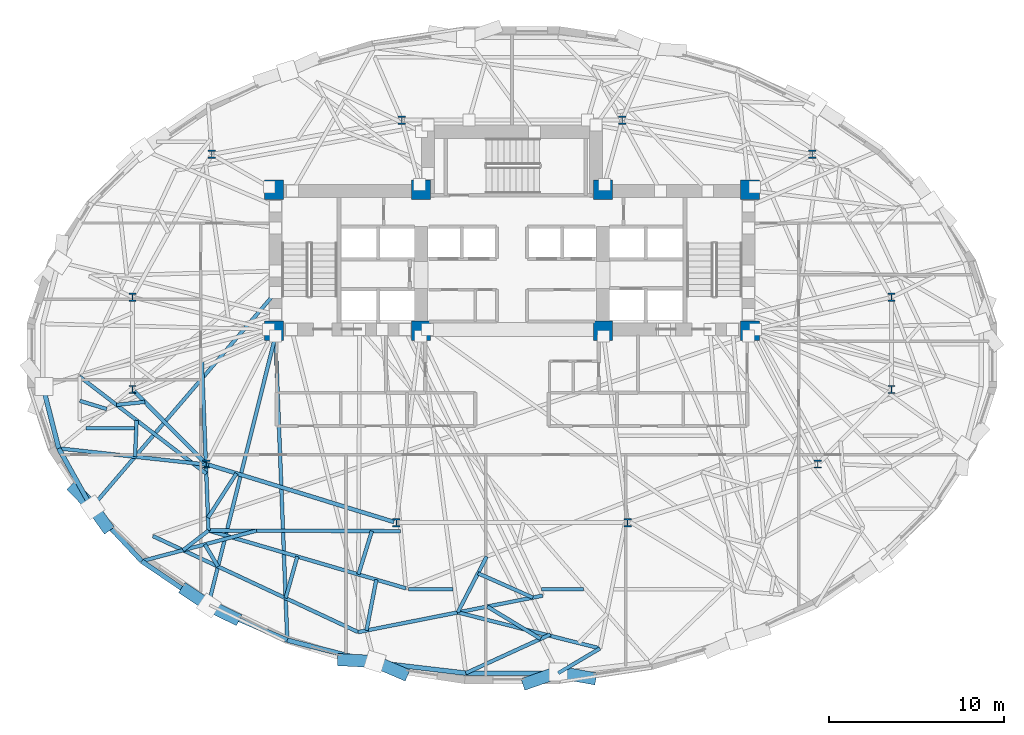
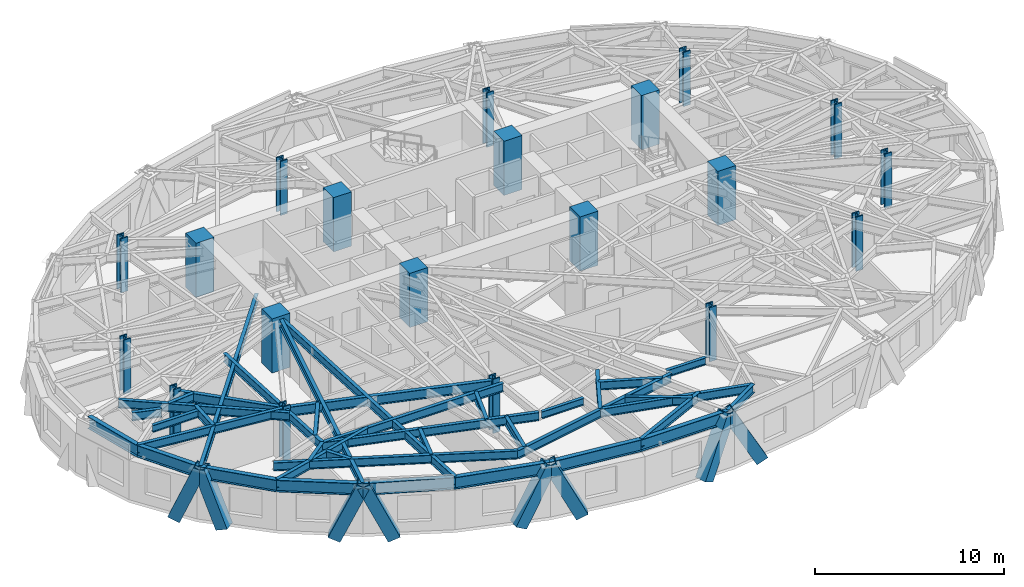
# One storey, part 1 of 15: 39 beams, 20 columns, 8 members.
"""IFC4 building model written with IfcOpenShell, lengths in metres."""

from ifc_helpers import new_model, si_unit, direction, frame, origin, origin_2d, place, context, subcontext, project, spatial, rectangle, hollow_rectangle, i_section, extrude, material, material_profile, profile_set, type_object, element, save


model = new_model("IFC4")

# Units and contexts
model_context = context("Model", 3, precision=1e-05, world=origin(), true_north=direction((0.0, 1.0)))
body_context = subcontext(model_context, "Body", "Model", "MODEL_VIEW")
ifc_project = project(units=[si_unit("LENGTHUNIT", "METRE"), si_unit("AREAUNIT", "SQUARE_METRE"), si_unit("VOLUMEUNIT", "CUBIC_METRE"), si_unit("PLANEANGLEUNIT", "RADIAN"), si_unit("MASSUNIT", "GRAM", prefix="KILO")], contexts=[model_context])

# Site, building, storey
site_placement = place(None, origin())
site = spatial("IfcSite", under=ifc_project, at=site_placement, CompositionType="ELEMENT")
building_placement = place(site_placement, origin())
building = spatial("IfcBuilding", under=site, at=building_placement, Name="Keldmark Tower", CompositionType="ELEMENT")
storey_placement = place(building_placement, frame((0.0, 0.0, 110.60009765625)))
storey = spatial("IfcBuildingStorey", under=building, at=storey_placement, Name="L29", CompositionType="ELEMENT", Elevation=110.60009765625)

# Columns
ifc_material_1 = material(Name="Concrete C70/85", Category="concrete")
ifc_material_profile_1 = material_profile(ifc_material_1, rectangle(XDim=1.10009765625, YDim=1.10009765625, at=origin_2d()), Name="RC1100X1100")
ifc_profile_set_1 = profile_set([ifc_material_profile_1], Name="Concrete C70/85")
column_type_1 = type_object("IfcColumnType", Name="Core Boundary Column RC1100", PredefinedType="COLUMN", material=ifc_profile_set_1)
for number, where, z_axis, x_axis, name in (
    (1, (-13.60009765625, 1.39990234375, 0.0), (0.0, 0.0, 1.0), (1.0, 0.0, 0.0), "L29 Core Boundary Column CC-W1"),
    (2, (-13.60009765625, 9.449951171875, 0.0), (0.0, 0.0, 1.0), (1.0, 0.0, 0.0), "L29 Core Boundary Column CC-W2"),
    (3, (-5.199951171875, 1.39990234375, 0.0), (0.0, 0.0, 1.0), (1.0, 0.0, 0.0), "L29 Core Boundary Column CC-W3"),
    (4, (-5.199951171875, 9.449951171875, 0.0), (0.0, 0.0, 1.0), (1.0, 0.0, 0.0), "L29 Core Boundary Column CC-W4"),
    (5, (5.199951171875, 1.39990234375, 0.0), (0.0, 0.0, 1.0), (1.0, 0.0, 0.0), "L29 Core Boundary Column CC-E1"),
    (6, (5.199951171875, 9.449951171875, 0.0), (0.0, 0.0, 1.0), (1.0, 0.0, 0.0), "L29 Core Boundary Column CC-E2"),
    (7, (13.60009765625, 1.39990234375, 0.0), (0.0, 0.0, 1.0), (1.0, 0.0, 0.0), "L29 Core Boundary Column CC-E3"),
    (8, (13.60009765625, 9.449951171875, 0.0), (0.0, 0.0, 1.0), (1.0, 0.0, 0.0), "L29 Core Boundary Column CC-E4"),
):
    element("IfcColumn", number, at=place(storey_placement, frame(where, z_axis=z_axis, x_axis=x_axis)), inside=storey, type_object=column_type_1, Name=name, PredefinedType="COLUMN", context=body_context, shape_type="SweptSolid", body=[
        extrude(rectangle(XDim=1.10009765625, YDim=1.10009765625, at=origin_2d()), origin(), (0.0, 0.0, 1.0), 3.5),
    ])
ifc_material_2 = material(Name="Steel ASTM A992 Grade 50", Category="steel")
ifc_material_profile_2 = material_profile(ifc_material_2, i_section(OverallWidth=0.424072265625, OverallDepth=0.47412109375, WebThickness=0.047607421875, FlangeThickness=0.0771484375, at=origin_2d()), Name="W14X426")
ifc_profile_set_2 = profile_set([ifc_material_profile_2], Name="Steel ASTM A992 Grade 50")
column_type_2 = type_object("IfcColumnType", Name="Tower Gravity Column W14X426", PredefinedType="COLUMN", material=ifc_profile_set_2)
for number, where, z_axis, x_axis, name in (
    (9, (21.697021484375, 3.309814453125, 0.0), (0.0, 0.0, 1.0), (1.0, 0.0, 0.0), "L29 Tower Gravity Column TC-E1"),
    (10, (17.1669921875, 11.478271484375, 0.0), (0.0, 0.0, 1.0), (1.0, 0.0, 0.0), "L29 Tower Gravity Column TC-E4"),
    (11, (6.298828125, 13.4326171875, 0.0), (0.0, 0.0, 1.0), (1.0, 0.0, 0.0), "L29 Tower Gravity Column TC-N2"),
    (12, (-6.298828125, 13.4326171875, 0.0), (0.0, 0.0, 1.0), (1.0, 0.0, 0.0), "L29 Tower Gravity Column TC-N1"),
    (13, (-17.1669921875, 11.478271484375, 0.0), (0.0, 0.0, 1.0), (1.0, 0.0, 0.0), "L29 Tower Gravity Column TC-W4"),
    (14, (-21.697021484375, 3.309814453125, 0.0), (0.0, 0.0, 1.0), (1.0, 0.0, 0.0), "L29 Tower Gravity Column TC-W1"),
    (15, (-21.697021484375, -1.9658203125, 0.0), (0.0, 0.0, 1.0), (1.0, 0.0, 0.0), "L29 Tower Gravity Column TC-W5"),
    (16, (-17.477294921875, -6.2294921875, 0.0), (0.0, 0.0, 1.0), (1.0, 0.0, 0.0), "L29 Tower Gravity Column TC-W2"),
    (17, (-6.61279296875, -9.579345703125, 0.0), (0.0, 0.0, 1.0), (1.0, 0.0, 0.0), "L29 Tower Gravity Column TC-W3"),
    (18, (6.61279296875, -9.579345703125, 0.0), (0.0, 0.0, 1.0), (1.0, 0.0, 0.0), "L29 Tower Gravity Column TC-E3"),
    (19, (17.477294921875, -6.2294921875, 0.0), (0.0, 0.0, 1.0), (1.0, 0.0, 0.0), "L29 Tower Gravity Column TC-E2"),
    (20, (21.697021484375, -1.9658203125, 0.0), (0.0, 0.0, 1.0), (1.0, 0.0, 0.0), "L29 Tower Gravity Column TC-E5"),
):
    element("IfcColumn", number, at=place(storey_placement, frame(where, z_axis=z_axis, x_axis=x_axis)), inside=storey, type_object=column_type_2, Name=name, PredefinedType="COLUMN", context=body_context, shape_type="SweptSolid", body=[
        extrude(i_section(OverallWidth=0.424072265625, OverallDepth=0.47412109375, WebThickness=0.047607421875, FlangeThickness=0.0771484375, at=origin_2d()), origin(), (0.0, 0.0, 1.0), 3.5),
    ])

# Beams
ifc_material_3 = material(Name="Steel ASTM A992 Grade 50", Category="steel")
ifc_material_profile_3 = material_profile(ifc_material_3, i_section(OverallWidth=0.19091796875, OverallDepth=0.45703125, WebThickness=0.009033203125, FlangeThickness=0.014404296875, at=origin_2d()), Name="W18X50")
ifc_profile_set_3 = profile_set([ifc_material_profile_3], Name="Steel ASTM A992 Grade 50")
beam_type_1 = type_object("IfcBeamType", Name="Composite Floor Joist W18X50", PredefinedType="JOIST", material=ifc_profile_set_3)
beam_1_placement = place(storey_placement, frame((-5.9140625, -13.3798828125, 3.081298828125), z_axis=(1.0, 0.0, 0.0), x_axis=(0.0, 1.0, 0.0)))
element("IfcBeam", 21, at=beam_1_placement, inside=storey, type_object=beam_type_1, Name="L29 Composite Floor Joist J01", PredefinedType="JOIST", context=body_context, shape_type="SweptSolid", body=[
    extrude(i_section(OverallWidth=0.19091796875, OverallDepth=0.45703125, WebThickness=0.009033203125, FlangeThickness=0.014404296875, at=origin_2d()), origin(), (0.0, 0.0, 1.0), 2.538330078125),
])
beam_2_placement = place(storey_placement, frame((1.6845703125, -13.3798828125, 3.081298828125), z_axis=(1.0, 0.0, 0.0), x_axis=(0.0, 1.0, 0.0)))
element("IfcBeam", 22, at=beam_2_placement, inside=storey, type_object=beam_type_1, Name="L29 Composite Floor Joist J02", PredefinedType="JOIST", context=body_context, shape_type="SweptSolid", body=[
    extrude(i_section(OverallWidth=0.19091796875, OverallDepth=0.45703125, WebThickness=0.009033203125, FlangeThickness=0.014404296875, at=origin_2d()), origin(), (0.0, 0.0, 1.0), 2.401123046875),
])
beam_3_placement = place(storey_placement, frame((-24.357177734375, -4.179931640625, 3.081298828125), z_axis=(1.0, 0.0, 0.0), x_axis=(0.0, 1.0, 0.0)))
element("IfcBeam", 23, at=beam_3_placement, inside=storey, type_object=beam_type_1, Name="L29 Composite Floor Joist J05", PredefinedType="JOIST", context=body_context, shape_type="SweptSolid", body=[
    extrude(i_section(OverallWidth=0.19091796875, OverallDepth=0.45703125, WebThickness=0.009033203125, FlangeThickness=0.014404296875, at=origin_2d()), origin(), (0.0, 0.0, 1.0), 2.779296875),
])

# Members
ifc_material_4 = material(Name="Steel ASTM A572 Grade 50", Category="steel")
ifc_material_profile_4 = material_profile(ifc_material_4, hollow_rectangle(XDim=0.699951171875, YDim=0.699951171875, WallThickness=0.044921875, at=origin_2d()), Name="BOX700X700X45")
ifc_profile_set_4 = profile_set([ifc_material_profile_4], Name="Steel ASTM A572 Grade 50")
member_type = type_object("IfcMemberType", Name="Diagrid Zone 2 Brace BOX700X700X45", PredefinedType="BRACE", material=ifc_profile_set_4)
member_1_placement = place(storey_placement, frame((-24.978759765625, -7.6689453125, -0.27001953125), z_axis=(0.267017097952, -0.273407250724, 0.924094337529), x_axis=(0.715417829902, 0.698696878953, 0.0)))
element("IfcMember", 24, at=member_1_placement, inside=storey, type_object=member_type, Name="L29 Perimeter Diagrid Brace 09B", PredefinedType="BRACE", context=body_context, shape_type="SweptSolid", body=[
    extrude(hollow_rectangle(XDim=0.699951171875, YDim=0.699951171875, WallThickness=0.044921875, at=origin_2d()), origin(), (0.0, 0.0, 1.0), 3.744140625),
])
member_2_placement = place(storey_placement, frame((-23.20556640625, -9.76953125, -0.27001953125), z_axis=(-0.209690541704, 0.293277166928, 0.932747758013), x_axis=(-0.813462018003, -0.581618040699, 0.0)))
element("IfcMember", 25, at=member_2_placement, inside=storey, type_object=member_type, Name="L29 Perimeter Diagrid Brace 10A", PredefinedType="BRACE", context=body_context, shape_type="SweptSolid", body=[
    extrude(hollow_rectangle(XDim=0.699951171875, YDim=0.699951171875, WallThickness=0.044921875, at=origin_2d()), origin(), (0.0, 0.0, 1.0), 3.70947265625),
])
member_3_placement = place(storey_placement, frame((-18.610107421875, -13.467529296875, -0.27001953125), z_axis=(0.338507513586, -0.223844461737, 0.91395093971), x_axis=(0.551579208252, 0.834122519192, 0.0)))
element("IfcMember", 26, at=member_3_placement, inside=storey, type_object=member_type, Name="L29 Perimeter Diagrid Brace 10B", PredefinedType="BRACE", context=body_context, shape_type="SweptSolid", body=[
    extrude(hollow_rectangle(XDim=0.699951171875, YDim=0.699951171875, WallThickness=0.044921875, at=origin_2d()), origin(), (0.0, 0.0, 1.0), 3.78564453125),
])
member_4_placement = place(storey_placement, frame((-15.88330078125, -15.019287109375, -0.27001953125), z_axis=(-0.380529823705, 0.18655803752, 0.905755569625), x_axis=(-0.440202514339, -0.897898516743, 0.0)))
element("IfcMember", 27, at=member_4_placement, inside=storey, type_object=member_type, Name="L29 Perimeter Diagrid Brace 11A", PredefinedType="BRACE", context=body_context, shape_type="SweptSolid", body=[
    extrude(hollow_rectangle(XDim=0.699951171875, YDim=0.699951171875, WallThickness=0.044921875, at=origin_2d()), origin(), (0.0, 0.0, 1.0), 3.820068359375),
])
member_5_placement = place(storey_placement, frame((-9.663818359375, -17.4228515625, -0.27001953125), z_axis=(0.467417683019, -0.024256333871, 0.883703762506), x_axis=(0.05182460814, 0.998656202099, 0.0)))
element("IfcMember", 28, at=member_5_placement, inside=storey, type_object=member_type, Name="L29 Perimeter Diagrid Brace 11B", PredefinedType="BRACE", context=body_context, shape_type="SweptSolid", body=[
    extrude(hollow_rectangle(XDim=0.699951171875, YDim=0.699951171875, WallThickness=0.044921875, at=origin_2d()), origin(), (0.0, 0.0, 1.0), 3.915283203125),
])
member_6_placement = place(storey_placement, frame((-6.25634765625, -18.19189453125, -0.27001953125), z_axis=(-0.410682770234, 0.175510853382, 0.894726551846), x_axis=(-0.392980755483, -0.919546695834, 0.0)))
element("IfcMember", 29, at=member_6_placement, inside=storey, type_object=member_type, Name="L29 Perimeter Diagrid Brace 12A", PredefinedType="BRACE", context=body_context, shape_type="SweptSolid", body=[
    extrude(hollow_rectangle(XDim=0.699951171875, YDim=0.699951171875, WallThickness=0.044921875, at=origin_2d()), origin(), (0.0, 0.0, 1.0), 3.866943359375),
])
member_7_placement = place(storey_placement, frame((0.915771484375, -18.728759765625, -0.27001953125), z_axis=(0.442181208457, 0.154666795176, 0.883489649831), x_axis=(-0.330166658122, 0.943922654599, 0.0)))
element("IfcMember", 30, at=member_7_placement, inside=storey, type_object=member_type, Name="L29 Perimeter Diagrid Brace 12B", PredefinedType="BRACE", context=body_context, shape_type="SweptSolid", body=[
    extrude(hollow_rectangle(XDim=0.699951171875, YDim=0.699951171875, WallThickness=0.044921875, at=origin_2d()), origin(), (0.0, 0.0, 1.0), 3.916259765625),
])
member_8_placement = place(storey_placement, frame((4.495849609375, -18.458984375, -0.27001953125), z_axis=(-0.471795800597, 0.085206854131, 0.877581058677), x_axis=(-0.177725962091, -0.984080018291, 0.0)))
element("IfcMember", 31, at=member_8_placement, inside=storey, type_object=member_type, Name="L29 Perimeter Diagrid Brace 13A", PredefinedType="BRACE", context=body_context, shape_type="SweptSolid", body=[
    extrude(hollow_rectangle(XDim=0.699951171875, YDim=0.699951171875, WallThickness=0.044921875, at=origin_2d()), origin(), (0.0, 0.0, 1.0), 3.942626953125),
])

# Beams
ifc_material_5 = material(Name="Steel ASTM A992 Grade 50", Category="steel")
ifc_material_profile_5 = material_profile(ifc_material_5, i_section(OverallWidth=0.22900390625, OverallDepth=0.612060546875, WebThickness=0.011962890625, FlangeThickness=0.01953125, at=origin_2d()), Name="W24X84")
ifc_profile_set_5 = profile_set([ifc_material_profile_5], Name="Steel ASTM A992 Grade 50")
beam_type_2 = type_object("IfcBeamType", Name="Primary Floor Girder W24X84", PredefinedType="BEAM", material=ifc_profile_set_5)
beam_4_placement = place(storey_placement, frame((-21.598388671875, -2.0654296875, 3.00390625), z_axis=(0.703425791323, -0.71076870788, 0.0), x_axis=(0.71076870788, 0.703425791323, 0.0)))
element("IfcBeam", 32, at=beam_4_placement, inside=storey, type_object=beam_type_2, Name="L29 Floor Ring Girder FG-R07", PredefinedType="BEAM", context=body_context, shape_type="SweptSolid", body=[
    extrude(i_section(OverallWidth=0.22900390625, OverallDepth=0.612060546875, WebThickness=0.011962890625, FlangeThickness=0.01953125, at=origin_2d()), origin(), (0.0, 0.0, 1.0), 5.71875),
])
beam_5_placement = place(storey_placement, frame((-17.343505859375, -6.270751953125, 3.00390625), z_axis=(0.955607954968, -0.294641199432, 0.0), x_axis=(0.294641199432, 0.955607954968, 0.0)))
element("IfcBeam", 33, at=beam_5_placement, inside=storey, type_object=beam_type_2, Name="L29 Floor Ring Girder FG-R08", PredefinedType="BEAM", context=body_context, shape_type="SweptSolid", body=[
    extrude(i_section(OverallWidth=0.22900390625, OverallDepth=0.612060546875, WebThickness=0.011962890625, FlangeThickness=0.01953125, at=origin_2d()), origin(), (0.0, 0.0, 1.0), 11.089111328125),
])
ifc_material_6 = material(Name="Steel ASTM A992 Grade 50", Category="steel")
ifc_material_profile_6 = material_profile(ifc_material_6, i_section(OverallWidth=0.2099609375, OverallDepth=0.537109375, WebThickness=0.010986328125, FlangeThickness=0.017333984375, at=origin_2d()), Name="W21X68")
ifc_profile_set_6 = profile_set([ifc_material_profile_6], Name="Steel ASTM A992 Grade 50")
beam_type_3 = type_object("IfcBeamType", Name="Radial Tie Girder W21X68", PredefinedType="BEAM", material=ifc_profile_set_6)
beam_6_placement = place(storey_placement, frame((-24.720458984375, -1.223876953125, 3.04150390625), z_axis=(0.793423782127, -0.608669616422, 0.0), x_axis=(0.608669616422, 0.793423782127, 0.0)))
element("IfcBeam", 34, at=beam_6_placement, inside=storey, type_object=beam_type_3, Name="L29 Framing Pin Header PH-005", PredefinedType="BEAM", context=body_context, shape_type="SweptSolid", body=[
    extrude(i_section(OverallWidth=0.2099609375, OverallDepth=0.537109375, WebThickness=0.010986328125, FlangeThickness=0.017333984375, at=origin_2d()), origin(), (0.0, 0.0, 1.0), 9.127197265625),
])
beam_7_placement = place(storey_placement, frame((-17.7314453125, -0.3173828125, 3.04150390625), z_axis=(0.039068989508, -0.999236515575, 0.0), x_axis=(0.999236515575, 0.039068989508, 0.0)))
element("IfcBeam", 35, at=beam_7_placement, inside=storey, type_object=beam_type_3, Name="L29 Sub-Ring Step Girder STP1-M08", PredefinedType="BEAM", context=body_context, shape_type="SweptSolid", body=[
    extrude(i_section(OverallWidth=0.2099609375, OverallDepth=0.537109375, WebThickness=0.010986328125, FlangeThickness=0.017333984375, at=origin_2d()), origin(), (0.0, 0.0, 1.0), 9.717041015625),
])
beam_8_placement = place(storey_placement, frame((-17.351806640625, -10.027099609375, 3.04150390625), z_axis=(0.999994810297, -0.003221704346, 0.0), x_axis=(0.003221704346, 0.999994810297, 0.0)))
element("IfcBeam", 36, at=beam_8_placement, inside=storey, type_object=beam_type_3, Name="L29 Framing Pin Header PH-006", PredefinedType="BEAM", context=body_context, shape_type="SweptSolid", body=[
    extrude(i_section(OverallWidth=0.2099609375, OverallDepth=0.537109375, WebThickness=0.010986328125, FlangeThickness=0.017333984375, at=origin_2d()), origin(), (0.0, 0.0, 1.0), 10.988037109375),
])
beam_9_placement = place(storey_placement, frame((-17.351806640625, -10.027099609375, 3.04150390625), z_axis=(0.959687161732, -0.281070367715, 0.0), x_axis=(0.281070367715, 0.959687161732, 0.0)))
element("IfcBeam", 37, at=beam_9_placement, inside=storey, type_object=beam_type_3, Name="L29 Perimeter Collector Ring Beam CRG1-M08", PredefinedType="BEAM", context=body_context, shape_type="SweptSolid", body=[
    extrude(i_section(OverallWidth=0.2099609375, OverallDepth=0.537109375, WebThickness=0.010986328125, FlangeThickness=0.017333984375, at=origin_2d()), origin(), (0.0, 0.0, 1.0), 11.760986328125),
])
beam_10_placement = place(storey_placement, frame((-15.75390625, -6.760986328125, 3.04150390625), z_axis=(-0.540745285949, -0.841186385841, 0.0), x_axis=(0.841186385841, -0.540745285949, 0.0)))
element("IfcBeam", 38, at=beam_10_placement, inside=storey, type_object=beam_type_3, Name="L29 Framing Pin Header PH-011", PredefinedType="BEAM", context=body_context, shape_type="SweptSolid", body=[
    extrude(i_section(OverallWidth=0.2099609375, OverallDepth=0.537109375, WebThickness=0.010986328125, FlangeThickness=0.017333984375, at=origin_2d()), origin(), (0.0, 0.0, 1.0), 3.00830078125),
])
beam_11_placement = place(storey_placement, frame((-8.011962890625, -10.057373046875, 3.04150390625), z_axis=(-0.29598811208, -0.955191623449, 0.0), x_axis=(0.955191623449, -0.29598811208, 0.0)))
element("IfcBeam", 39, at=beam_11_placement, inside=storey, type_object=beam_type_3, Name="L29 Framing Pin Header PH-012", PredefinedType="BEAM", context=body_context, shape_type="SweptSolid", body=[
    extrude(i_section(OverallWidth=0.2099609375, OverallDepth=0.537109375, WebThickness=0.010986328125, FlangeThickness=0.017333984375, at=origin_2d()), origin(), (0.0, 0.0, 1.0), 2.5966796875),
])
beam_12_placement = place(storey_placement, frame((-20.523681640625, -10.348388671875, 3.04150390625), z_axis=(0.9057727741, -0.423763709747, 0.0), x_axis=(0.423763709747, 0.9057727741, 0.0)))
element("IfcBeam", 40, at=beam_12_placement, inside=storey, type_object=beam_type_3, Name="L29 Perimeter Collector Ring Beam CRG2-M08", PredefinedType="BEAM", context=body_context, shape_type="SweptSolid", body=[
    extrude(i_section(OverallWidth=0.2099609375, OverallDepth=0.537109375, WebThickness=0.010986328125, FlangeThickness=0.017333984375, at=origin_2d()), origin(), (0.0, 0.0, 1.0), 12.94775390625),
])
beam_13_placement = place(storey_placement, frame((-8.7958984375, -15.835205078125, 3.04150390625), z_axis=(0.981021831439, 0.193897308489, 0.0), x_axis=(-0.193897308489, 0.981021831439, 0.0)))
element("IfcBeam", 41, at=beam_13_placement, inside=storey, type_object=beam_type_3, Name="L29 Perimeter Collector Ring Beam CRG2-M09", PredefinedType="BEAM", context=body_context, shape_type="SweptSolid", body=[
    extrude(i_section(OverallWidth=0.2099609375, OverallDepth=0.537109375, WebThickness=0.010986328125, FlangeThickness=0.017333984375, at=origin_2d()), origin(), (0.0, 0.0, 1.0), 10.751708984375),
])
beam_14_placement = place(storey_placement, frame((-20.9951171875, -2.675048828125, 3.04150390625), z_axis=(-0.994772054455, -0.1021203196, 0.0), x_axis=(0.1021203196, -0.994772054455, 0.0)))
element("IfcBeam", 42, at=beam_14_placement, inside=storey, type_object=beam_type_3, Name="L29 Framing Pin Header PH-031", PredefinedType="BEAM", context=body_context, shape_type="SweptSolid", body=[
    extrude(i_section(OverallWidth=0.2099609375, OverallDepth=0.537109375, WebThickness=0.010986328125, FlangeThickness=0.017333984375, at=origin_2d()), origin(), (0.0, 0.0, 1.0), 1.625732421875),
])
beam_15_placement = place(storey_placement, frame((-24.71142578125, -2.6123046875, 3.04150390625), z_axis=(0.956243240595, -0.292572836771, 0.0), x_axis=(0.292572836771, 0.956243240595, 0.0)))
element("IfcBeam", 43, at=beam_15_placement, inside=storey, type_object=beam_type_3, Name="L29 Framing Pin Header PH-032", PredefinedType="BEAM", context=body_context, shape_type="SweptSolid", body=[
    extrude(i_section(OverallWidth=0.2099609375, OverallDepth=0.537109375, WebThickness=0.010986328125, FlangeThickness=0.017333984375, at=origin_2d()), origin(), (0.0, 0.0, 1.0), 1.610595703125),
])
beam_16_placement = place(storey_placement, frame((-17.351806640625, -10.027099609375, 3.04150390625), z_axis=(-0.791249963803, -0.611492841154, 0.0), x_axis=(0.611492841154, -0.791249963803, 0.0)))
element("IfcBeam", 44, at=beam_16_placement, inside=storey, type_object=beam_type_3, Name="L29 Framing Pin Header PH-033", PredefinedType="BEAM", context=body_context, shape_type="SweptSolid", body=[
    extrude(i_section(OverallWidth=0.2099609375, OverallDepth=0.537109375, WebThickness=0.010986328125, FlangeThickness=0.017333984375, at=origin_2d()), origin(), (0.0, 0.0, 1.0), 1.8388671875),
])
beam_17_placement = place(storey_placement, frame((-14.604736328125, -10.035888671875, 3.04150390625), z_axis=(-0.966516464649, -0.256604605497, 0.0), x_axis=(0.256604605497, -0.966516464649, 0.0)))
element("IfcBeam", 45, at=beam_17_placement, inside=storey, type_object=beam_type_3, Name="L29 Perimeter Radial Tie Girder RT-20", PredefinedType="BEAM", context=body_context, shape_type="SweptSolid", body=[
    extrude(i_section(OverallWidth=0.2099609375, OverallDepth=0.537109375, WebThickness=0.010986328125, FlangeThickness=0.017333984375, at=origin_2d()), origin(), (0.0, 0.0, 1.0), 6.794189453125),
])
beam_18_placement = place(storey_placement, frame((-17.559814453125, -10.8203125, 3.04150390625), z_axis=(0.509752339952, -0.860321191134, 0.0), x_axis=(0.860321191134, 0.509752339952, 0.0)))
element("IfcBeam", 46, at=beam_18_placement, inside=storey, type_object=beam_type_3, Name="L29 Framing Pin Header PH-034", PredefinedType="BEAM", context=body_context, shape_type="SweptSolid", body=[
    extrude(i_section(OverallWidth=0.2099609375, OverallDepth=0.537109375, WebThickness=0.010986328125, FlangeThickness=0.017333984375, at=origin_2d()), origin(), (0.0, 0.0, 1.0), 1.470703125),
])
beam_19_placement = place(storey_placement, frame((-13.52490234375, 1.10009765625, 3.04150390625), z_axis=(-0.241756414655, -0.970336970322, 0.0), x_axis=(0.970336970322, -0.241756414655, 0.0)))
element("IfcBeam", 47, at=beam_19_placement, inside=storey, type_object=beam_type_3, Name="L29 Perimeter Radial Tie Girder RT-21", PredefinedType="BEAM", context=body_context, shape_type="SweptSolid", body=[
    extrude(i_section(OverallWidth=0.2099609375, OverallDepth=0.537109375, WebThickness=0.010986328125, FlangeThickness=0.017333984375, at=origin_2d()), origin(), (0.0, 0.0, 1.0), 15.925537109375),
])
beam_20_placement = place(storey_placement, frame((-12.272705078125, -11.5146484375, 3.04150390625), z_axis=(-0.27028528671, -0.962780278043, 0.0), x_axis=(0.962780278043, -0.27028528671, 0.0)))
element("IfcBeam", 48, at=beam_20_placement, inside=storey, type_object=beam_type_3, Name="L29 Framing Pin Header PH-035", PredefinedType="BEAM", context=body_context, shape_type="SweptSolid", body=[
    extrude(i_section(OverallWidth=0.2099609375, OverallDepth=0.537109375, WebThickness=0.010986328125, FlangeThickness=0.017333984375, at=origin_2d()), origin(), (0.0, 0.0, 1.0), 2.47314453125),
])
beam_21_placement = place(storey_placement, frame((-13.52490234375, 1.10009765625, 3.04150390625), z_axis=(0.038902768822, -0.999243000765, 0.0), x_axis=(0.999243000765, 0.038902768822, 0.0)))
element("IfcBeam", 49, at=beam_21_placement, inside=storey, type_object=beam_type_3, Name="L29 Perimeter Radial Tie Girder RT-22", PredefinedType="BEAM", context=body_context, shape_type="SweptSolid", body=[
    extrude(i_section(OverallWidth=0.2099609375, OverallDepth=0.537109375, WebThickness=0.010986328125, FlangeThickness=0.017333984375, at=origin_2d()), origin(), (0.0, 0.0, 1.0), 17.40869140625),
])
beam_22_placement = place(storey_placement, frame((-7.758056640625, -12.8369140625, 3.04150390625), z_axis=(-0.189236288616, -0.981931579628, 0.0), x_axis=(0.981931579628, -0.189236288616, 0.0)))
element("IfcBeam", 50, at=beam_22_placement, inside=storey, type_object=beam_type_3, Name="L29 Framing Pin Header PH-036", PredefinedType="BEAM", context=body_context, shape_type="SweptSolid", body=[
    extrude(i_section(OverallWidth=0.2099609375, OverallDepth=0.537109375, WebThickness=0.010986328125, FlangeThickness=0.017333984375, at=origin_2d()), origin(), (0.0, 0.0, 1.0), 2.95703125),
])
beam_23_placement = place(storey_placement, frame((-1.447265625, -11.5166015625, 3.04150390625), z_axis=(-0.460144782416, -0.887843893495, 0.0), x_axis=(0.887843893495, -0.460144782416, 0.0)))
element("IfcBeam", 51, at=beam_23_placement, inside=storey, type_object=beam_type_3, Name="L29 Framing Pin Header PH-037", PredefinedType="BEAM", context=body_context, shape_type="SweptSolid", body=[
    extrude(i_section(OverallWidth=0.2099609375, OverallDepth=0.537109375, WebThickness=0.010986328125, FlangeThickness=0.017333984375, at=origin_2d()), origin(), (0.0, 0.0, 1.0), 3.5966796875),
])
beam_24_placement = place(storey_placement, frame((-1.94384765625, -12.474609375, 3.04150390625), z_axis=(0.914611298608, -0.404334233598, 0.0), x_axis=(0.404334233598, 0.914611298608, 0.0)))
element("IfcBeam", 52, at=beam_24_placement, inside=storey, type_object=beam_type_3, Name="L29 Framing Pin Header PH-038", PredefinedType="BEAM", context=body_context, shape_type="SweptSolid", body=[
    extrude(i_section(OverallWidth=0.2099609375, OverallDepth=0.537109375, WebThickness=0.010986328125, FlangeThickness=0.017333984375, at=origin_2d()), origin(), (0.0, 0.0, 1.0), 3.428955078125),
])
beam_25_placement = place(storey_placement, frame((-2.6416015625, -18.1826171875, 3.04150390625), z_axis=(0.909182807839, 0.416397192509, 0.0), x_axis=(-0.416397192509, 0.909182807839, 0.0)))
element("IfcBeam", 53, at=beam_25_placement, inside=storey, type_object=beam_type_3, Name="L29 Local Collector Chord RT-25C", PredefinedType="BEAM", context=body_context, shape_type="SweptSolid", body=[
    extrude(i_section(OverallWidth=0.2099609375, OverallDepth=0.537109375, WebThickness=0.010986328125, FlangeThickness=0.017333984375, at=origin_2d()), origin(), (0.0, 0.0, 1.0), 5.3212890625),
])
beam_26_placement = place(storey_placement, frame((-1.41259765625, -14.3759765625, 3.04150390625), z_axis=(0.855529605472, -0.517753893429, 0.0), x_axis=(0.517753893429, 0.855529605472, 0.0)))
element("IfcBeam", 54, at=beam_26_placement, inside=storey, type_object=beam_type_3, Name="L29 Framing Pin Header PH-039", PredefinedType="BEAM", context=body_context, shape_type="SweptSolid", body=[
    extrude(i_section(OverallWidth=0.2099609375, OverallDepth=0.537109375, WebThickness=0.010986328125, FlangeThickness=0.017333984375, at=origin_2d()), origin(), (0.0, 0.0, 1.0), 3.566162109375),
])
beam_27_placement = place(storey_placement, frame((-3.102294921875, -14.7099609375, 3.04150390625), z_axis=(0.969410501478, -0.24544506437, 0.0), x_axis=(0.24544506437, 0.969410501478, 0.0)))
element("IfcBeam", 55, at=beam_27_placement, inside=storey, type_object=beam_type_3, Name="L29 Intermediate Radial Step Girder RT-26M", PredefinedType="BEAM", context=body_context, shape_type="SweptSolid", body=[
    extrude(i_section(OverallWidth=0.2099609375, OverallDepth=0.537109375, WebThickness=0.010986328125, FlangeThickness=0.017333984375, at=origin_2d()), origin(), (0.0, 0.0, 1.0), 8.38818359375),
])
beam_28_placement = place(storey_placement, frame((2.6416015625, -18.1826171875, 3.04150390625), z_axis=(0.860467268524, 0.509505721066, 0.0), x_axis=(-0.509505721066, 0.860467268524, 0.0)))
element("IfcBeam", 56, at=beam_28_placement, inside=storey, type_object=beam_type_3, Name="L29 Local Collector Chord RT-26C", PredefinedType="BEAM", context=body_context, shape_type="SweptSolid", body=[
    extrude(i_section(OverallWidth=0.2099609375, OverallDepth=0.537109375, WebThickness=0.010986328125, FlangeThickness=0.017333984375, at=origin_2d()), origin(), (0.0, 0.0, 1.0), 2.77490234375),
])
beam_29_placement = place(storey_placement, frame((-25.91748046875, -5.330078125, 3.04150390625), z_axis=(0.994035355768, -0.109058293966, 0.0), x_axis=(0.109058293966, 0.994035355768, 0.0)))
element("IfcBeam", 57, at=beam_29_placement, inside=storey, type_object=beam_type_3, Name="L29 Straddling Support Chord RT-19RB", PredefinedType="BEAM", context=body_context, shape_type="SweptSolid", body=[
    extrude(i_section(OverallWidth=0.2099609375, OverallDepth=0.537109375, WebThickness=0.010986328125, FlangeThickness=0.017333984375, at=origin_2d()), origin(), (0.0, 0.0, 1.0), 8.62548828125),
])
beam_30_placement = place(storey_placement, frame((-21.461669921875, -3.7236328125, 3.04150390625), z_axis=(-0.043980351361, -0.999032396219, 0.0), x_axis=(0.999032396219, -0.043980351361, 0.0)))
element("IfcBeam", 58, at=beam_30_placement, inside=storey, type_object=beam_type_3, Name="L29 Framing Pin Header PH-048", PredefinedType="BEAM", context=body_context, shape_type="SweptSolid", body=[
    extrude(i_section(OverallWidth=0.2099609375, OverallDepth=0.537109375, WebThickness=0.010986328125, FlangeThickness=0.017333984375, at=origin_2d()), origin(), (0.0, 0.0, 1.0), 2.087158203125),
])
beam_31_placement = place(storey_placement, frame((-13.52490234375, 3.5712890625, 3.04150390625), z_axis=(-0.650245199453, -0.759724410946, 0.0), x_axis=(0.759724410946, -0.650245199453, 0.0)))
element("IfcBeam", 59, at=beam_31_placement, inside=storey, type_object=beam_type_3, Name="L29 Perimeter Radial Tie Girder RT-19R", PredefinedType="BEAM", context=body_context, shape_type="SweptSolid", body=[
    extrude(i_section(OverallWidth=0.2099609375, OverallDepth=0.537109375, WebThickness=0.010986328125, FlangeThickness=0.017333984375, at=origin_2d()), origin(), (0.0, 0.0, 1.0), 16.165283203125),
])
ifc_material_7 = material(Name="Steel ASTM A992 Grade 50", Category="steel")
ifc_material_profile_7 = material_profile(ifc_material_7, i_section(OverallWidth=0.26806640625, OverallDepth=0.77001953125, WebThickness=0.015625, FlangeThickness=0.025390625, at=origin_2d()), Name="W30X132")
ifc_profile_set_7 = profile_set([ifc_material_profile_7], Name="Steel ASTM A992 Grade 50")
beam_type_4 = type_object("IfcBeamType", Name="Spandrel Ring Beam W30X132", PredefinedType="SPANDREL", material=ifc_profile_set_7)
beam_32_placement = place(storey_placement, frame((-26.8203125, -1.790771484375, 2.9248046875), z_axis=(0.247172296022, -0.968971545547, 0.0), x_axis=(0.968971545547, 0.247172296022, 0.0)))
element("IfcBeam", 60, at=beam_32_placement, inside=storey, type_object=beam_type_4, Name="L29 Perimeter Spandrel Ring Beam SRB-17", PredefinedType="SPANDREL", context=body_context, shape_type="SweptSolid", body=[
    extrude(i_section(OverallWidth=0.26806640625, OverallDepth=0.77001953125, WebThickness=0.015625, FlangeThickness=0.025390625, at=origin_2d()), origin(), (0.0, 0.0, 1.0), 3.652587890625),
])
beam_33_placement = place(storey_placement, frame((-25.91748046875, -5.330078125, 2.9248046875), z_axis=(0.486312657137, -0.873784870267, 0.0), x_axis=(0.873784870267, 0.486312657137, 0.0)))
element("IfcBeam", 61, at=beam_33_placement, inside=storey, type_object=beam_type_4, Name="L29 Perimeter Spandrel Ring Beam SRB-18", PredefinedType="SPANDREL", context=body_context, shape_type="SweptSolid", body=[
    extrude(i_section(OverallWidth=0.26806640625, OverallDepth=0.77001953125, WebThickness=0.015625, FlangeThickness=0.025390625, at=origin_2d()), origin(), (0.0, 0.0, 1.0), 3.8681640625),
])
beam_34_placement = place(storey_placement, frame((-24.036376953125, -8.7099609375, 2.9248046875), z_axis=(0.682353469166, -0.73102239577, 0.0), x_axis=(0.73102239577, 0.682353469166, 0.0)))
element("IfcBeam", 62, at=beam_34_placement, inside=storey, type_object=beam_type_4, Name="L29 Perimeter Spandrel Ring Beam SRB-19", PredefinedType="SPANDREL", context=body_context, shape_type="SweptSolid", body=[
    extrude(i_section(OverallWidth=0.26806640625, OverallDepth=0.77001953125, WebThickness=0.015625, FlangeThickness=0.025390625, at=origin_2d()), origin(), (0.0, 0.0, 1.0), 4.19873046875),
])
beam_35_placement = place(storey_placement, frame((-21.17138671875, -11.779296875, 2.9248046875), z_axis=(0.827717717125, -0.561144705719, 0.0), x_axis=(0.561144705719, 0.827717717125, 0.0)))
element("IfcBeam", 63, at=beam_35_placement, inside=storey, type_object=beam_type_4, Name="L29 Perimeter Spandrel Ring Beam SRB-20", PredefinedType="SPANDREL", context=body_context, shape_type="SweptSolid", body=[
    extrude(i_section(OverallWidth=0.26806640625, OverallDepth=0.77001953125, WebThickness=0.015625, FlangeThickness=0.025390625, at=origin_2d()), origin(), (0.0, 0.0, 1.0), 4.586669921875),
])
beam_36_placement = place(storey_placement, frame((-17.375, -14.35302734375, 2.9248046875), z_axis=(0.918991161346, -0.394278131993, 0.0), x_axis=(0.394278131993, 0.918991161346, 0.0)))
element("IfcBeam", 64, at=beam_36_placement, inside=storey, type_object=beam_type_4, Name="L29 Perimeter Spandrel Ring Beam SRB-21", PredefinedType="SPANDREL", context=body_context, shape_type="SweptSolid", body=[
    extrude(i_section(OverallWidth=0.26806640625, OverallDepth=0.77001953125, WebThickness=0.015625, FlangeThickness=0.025390625, at=origin_2d()), origin(), (0.0, 0.0, 1.0), 4.926513671875),
])
beam_37_placement = place(storey_placement, frame((-12.84765625, -16.29541015625, 2.9248046875), z_axis=(0.968802439575, -0.247834285507, 0.0), x_axis=(0.247834285507, 0.968802439575, 0.0)))
element("IfcBeam", 65, at=beam_37_placement, inside=storey, type_object=beam_type_4, Name="L29 Perimeter Spandrel Ring Beam SRB-22", PredefinedType="SPANDREL", context=body_context, shape_type="SweptSolid", body=[
    extrude(i_section(OverallWidth=0.26806640625, OverallDepth=0.77001953125, WebThickness=0.015625, FlangeThickness=0.025390625, at=origin_2d()), origin(), (0.0, 0.0, 1.0), 5.146240234375),
])
beam_38_placement = place(storey_placement, frame((-7.862060546875, -17.57080078125, 2.9248046875), z_axis=(0.993202502633, -0.116399264444, 0.0), x_axis=(0.116399264444, 0.993202502633, 0.0)))
element("IfcBeam", 66, at=beam_38_placement, inside=storey, type_object=beam_type_4, Name="L29 Perimeter Spandrel Ring Beam SRB-23", PredefinedType="SPANDREL", context=body_context, shape_type="SweptSolid", body=[
    extrude(i_section(OverallWidth=0.26806640625, OverallDepth=0.77001953125, WebThickness=0.015625, FlangeThickness=0.025390625, at=origin_2d()), origin(), (0.0, 0.0, 1.0), 5.256103515625),
])
beam_39_placement = place(storey_placement, frame((-2.6416015625, -18.1826171875, 2.9248046875), z_axis=(1.0, 0.0, 0.0), x_axis=(0.0, 1.0, 0.0)))
element("IfcBeam", 67, at=beam_39_placement, inside=storey, type_object=beam_type_4, Name="L29 Perimeter Spandrel Ring Beam SRB-24", PredefinedType="SPANDREL", context=body_context, shape_type="SweptSolid", body=[
    extrude(i_section(OverallWidth=0.26806640625, OverallDepth=0.77001953125, WebThickness=0.015625, FlangeThickness=0.025390625, at=origin_2d()), origin(), (0.0, 0.0, 1.0), 5.283203125),
])

save(model, "model.ifc")
